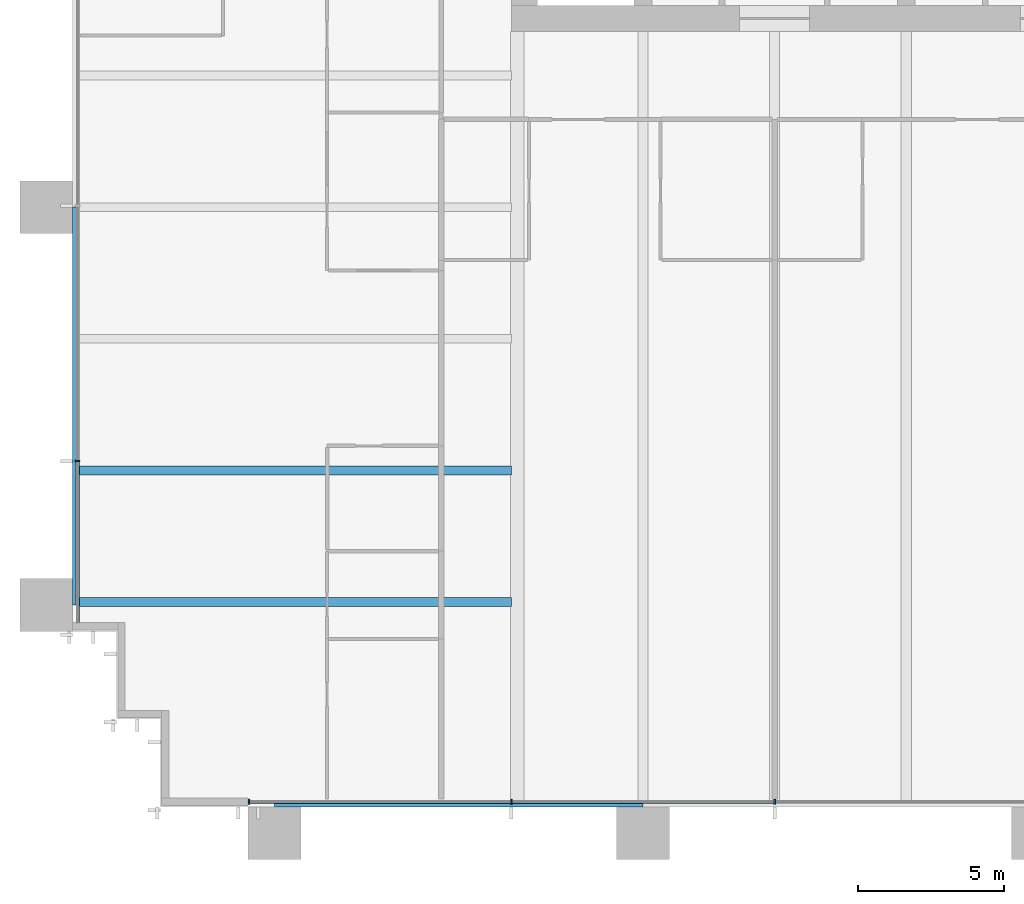
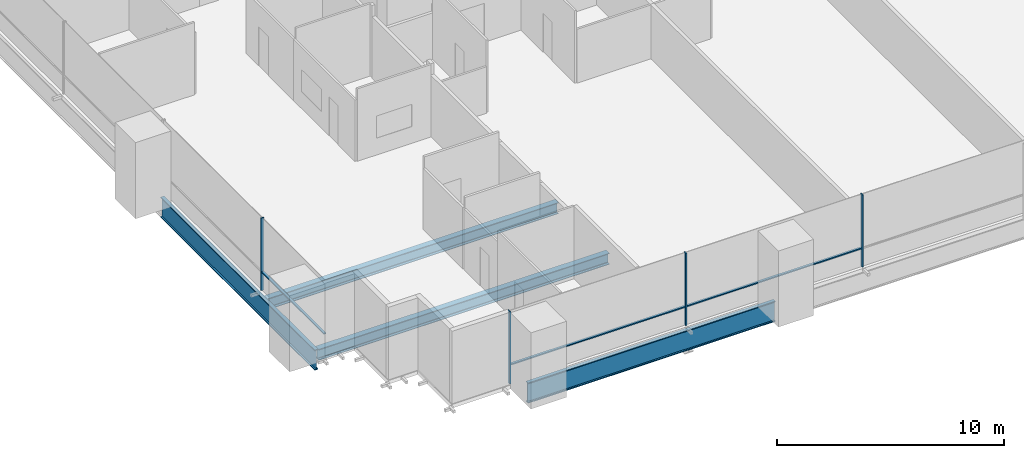
# One storey, part 2 of 18: 7 members, 4 beams, 2 elements without a shape of their own.
"""IFC4 building model written with IfcOpenShell, lengths in metres."""

from ifc_helpers import new_model, si_unit, direction, frame, origin, origin_2d, place, context, subcontext, project, spatial, rectangle, i_section, extrude, material, material_profile, profile_set, type_object, element, aggregate, save


model = new_model("IFC4")

# Units and contexts
model_context = context("Model", 3, precision=1e-05, world=origin(), true_north=direction((0.0, 1.0)))
body_context = subcontext(model_context, "Body", "Model", "MODEL_VIEW")
ifc_project = project(units=[si_unit("LENGTHUNIT", "METRE"), si_unit("AREAUNIT", "SQUARE_METRE"), si_unit("VOLUMEUNIT", "CUBIC_METRE"), si_unit("PLANEANGLEUNIT", "RADIAN"), si_unit("MASSUNIT", "GRAM", prefix="KILO")], contexts=[model_context])

# Site, building, storey
site_placement = place(None, origin())
site = spatial("IfcSite", under=ifc_project, at=site_placement, CompositionType="ELEMENT")
building_placement = place(site_placement, origin())
building = spatial("IfcBuilding", under=site, at=building_placement, Name="Rattan Terrace Tower", CompositionType="ELEMENT")
storey_placement = place(building_placement, frame((0.0, 0.0, 36.5)))
storey = spatial("IfcBuildingStorey", under=building, at=storey_placement, Name="L07", CompositionType="ELEMENT", Elevation=36.5)

# Curtain wall, member
ifc_material_1 = material(Name="Aluminium and glass", Category="aluminium")
curtain_wall_type = type_object("IfcCurtainWallType", Name="Facade Unitised Curtain Wall", PredefinedType="NOTDEFINED", material=ifc_material_1)
curtain_wall_1_placement = place(storey_placement, origin())
curtain_wall_1 = element("IfcCurtainWall", 1, at=curtain_wall_1_placement, inside=storey, type_object=curtain_wall_type, Name="Curtain wall L07-3", PredefinedType="NOTDEFINED")
ifc_material_2 = material(Name="Aluminium", Category="aluminium")
ifc_material_profile_1 = material_profile(ifc_material_2, rectangle(XDim=0.06005859375, YDim=0.159912109375, at=origin_2d()), Name="Aluminium 60x160")
ifc_profile_set_1 = profile_set([ifc_material_profile_1], Name="Aluminium")
member_type_1 = type_object("IfcMemberType", Name="Facade CW Mullion 60x160", PredefinedType="MULLION", material=ifc_profile_set_1)
member_1_placement = place(storey_placement, frame((-32.830078125, -22.180908203125, 0.0), z_axis=(0.0, 0.0, 1.0), x_axis=(0.0, -1.0, 0.0)))
member_1 = element("IfcMember", 2, at=member_1_placement, type_object=member_type_1, Name="Mullion cwl-L07-003.4", PredefinedType="MULLION", context=body_context, shape_type="SweptSolid", body=[
    extrude(rectangle(XDim=0.06005859375, YDim=0.159912109375, at=origin_2d()), origin(), (0.0, 0.0, 1.0), 3.89990234375),
])

# Curtain wall, members
curtain_wall_2_placement = place(storey_placement, origin())
curtain_wall_2 = element("IfcCurtainWall", 3, at=curtain_wall_2_placement, inside=storey, type_object=curtain_wall_type, Name="Curtain wall L07-4", PredefinedType="NOTDEFINED")
member_2_placement = place(storey_placement, frame((-26.969970703125, -33.830078125, 0.0), z_axis=(0.0, 0.0, 1.0), x_axis=(1.0, 0.0, 0.0)))
member_2 = element("IfcMember", 4, at=member_2_placement, type_object=member_type_1, Name="Mullion cwl-L07-004.1", PredefinedType="MULLION", context=body_context, shape_type="SweptSolid", body=[
    extrude(rectangle(XDim=0.06005859375, YDim=0.159912109375, at=origin_2d()), origin(), (0.0, 0.0, 1.0), 3.89990234375),
])
member_3_placement = place(storey_placement, frame((-18.0, -33.830078125, 0.0), z_axis=(0.0, 0.0, 1.0), x_axis=(1.0, 0.0, 0.0)))
member_3 = element("IfcMember", 5, at=member_3_placement, type_object=member_type_1, Name="Mullion cwl-L07-004.2", PredefinedType="MULLION", context=body_context, shape_type="SweptSolid", body=[
    extrude(rectangle(XDim=0.06005859375, YDim=0.159912109375, at=origin_2d()), origin(), (0.0, 0.0, 1.0), 3.89990234375),
])
member_4_placement = place(storey_placement, frame((-9.0, -33.830078125, 0.0), z_axis=(0.0, 0.0, 1.0), x_axis=(1.0, 0.0, 0.0)))
member_4 = element("IfcMember", 6, at=member_4_placement, type_object=member_type_1, Name="Mullion cwl-L07-004.3", PredefinedType="MULLION", context=body_context, shape_type="SweptSolid", body=[
    extrude(rectangle(XDim=0.06005859375, YDim=0.159912109375, at=origin_2d()), origin(), (0.0, 0.0, 1.0), 3.89990234375),
])

# Member
ifc_material_3 = material(Name="Aluminium", Category="aluminium")
ifc_material_profile_2 = material_profile(ifc_material_3, rectangle(XDim=0.1201171875, YDim=0.06005859375, at=origin_2d()), Name="Aluminium 120x60")
ifc_profile_set_2 = profile_set([ifc_material_profile_2], Name="Aluminium")
member_type_2 = type_object("IfcMemberType", Name="Facade CW Transom 120x60", PredefinedType="USERDEFINED", material=ifc_profile_set_2)
member_5_placement = place(storey_placement, frame((-32.830078125, -22.2109375, 1.0), z_axis=(0.0, -1.0, 0.0), x_axis=(1.0, 0.0, 0.0)))
member_5 = element("IfcMember", 7, at=member_5_placement, type_object=member_type_2, Name="Transom cwl-L07-003.4", ObjectType="TRANSOM", PredefinedType="USERDEFINED", context=body_context, shape_type="SweptSolid", body=[
    extrude(rectangle(XDim=0.1201171875, YDim=0.06005859375, at=origin_2d()), origin(), (0.0, 0.0, 1.0), 5.494140625),
])

aggregate(curtain_wall_1, [member_1, member_5])

member_6_placement = place(storey_placement, frame((-26.93994140625, -33.830078125, 1.0), z_axis=(1.0, 0.0, 0.0), x_axis=(0.0, 1.0, 0.0)))
member_6 = element("IfcMember", 8, at=member_6_placement, type_object=member_type_2, Name="Transom cwl-L07-004.1", ObjectType="TRANSOM", PredefinedType="USERDEFINED", context=body_context, shape_type="SweptSolid", body=[
    extrude(rectangle(XDim=0.1201171875, YDim=0.06005859375, at=origin_2d()), origin(), (0.0, 0.0, 1.0), 8.909912109375),
])

member_7_placement = place(storey_placement, frame((-17.969970703125, -33.830078125, 1.0), z_axis=(1.0, 0.0, 0.0), x_axis=(0.0, 1.0, 0.0)))
member_7 = element("IfcMember", 9, at=member_7_placement, type_object=member_type_2, Name="Transom cwl-L07-004.2", ObjectType="TRANSOM", PredefinedType="USERDEFINED", context=body_context, shape_type="SweptSolid", body=[
    extrude(rectangle(XDim=0.1201171875, YDim=0.06005859375, at=origin_2d()), origin(), (0.0, 0.0, 1.0), 8.93994140625),
])

aggregate(curtain_wall_2, [member_2, member_3, member_4, member_6, member_7])

# Beams
ifc_material_4 = material(Name="Steel S460", Category="steel")
ifc_material_profile_3 = material_profile(ifc_material_4, i_section(OverallWidth=0.179931640625, OverallDepth=1.10009765625, WebThickness=0.01611328125, FlangeThickness=0.050048828125, at=origin_2d()), Name="PG 1100x180-16-50")
ifc_profile_set_3 = profile_set([ifc_material_profile_3], Name="Steel S460")
beam_type_1 = type_object("IfcBeamType", Name="Frame edge girder PG 1100x180-16-50", PredefinedType="SPANDREL", material=ifc_profile_set_3)
beam_1_placement = place(storey_placement, frame((-26.10009765625, -33.909912109375, -0.75), z_axis=(1.0, 0.0, 0.0), x_axis=(0.0, 1.0, 0.0)))
element("IfcBeam", 10, at=beam_1_placement, inside=storey, type_object=beam_type_1, Name="gdr-L07-001", PredefinedType="SPANDREL", context=body_context, shape_type="SweptSolid", body=[
    extrude(i_section(OverallWidth=0.179931640625, OverallDepth=1.10009765625, WebThickness=0.01611328125, FlangeThickness=0.050048828125, at=origin_2d()), origin(), (0.0, 0.0, 1.0), 12.60009765625),
])
beam_2_placement = place(storey_placement, frame((-32.909912109375, -13.5, -0.75), z_axis=(0.0, -1.0, 0.0), x_axis=(1.0, 0.0, 0.0)))
element("IfcBeam", 11, at=beam_2_placement, inside=storey, type_object=beam_type_1, Name="gdr-L07-006", PredefinedType="SPANDREL", context=body_context, shape_type="SweptSolid", body=[
    extrude(i_section(OverallWidth=0.179931640625, OverallDepth=1.10009765625, WebThickness=0.01611328125, FlangeThickness=0.050048828125, at=origin_2d()), origin(), (0.0, 0.0, 1.0), 13.60009765625),
])
ifc_material_5 = material(Name="Steel S355", Category="steel")
ifc_material_profile_4 = material_profile(ifc_material_5, i_section(OverallWidth=0.300048828125, OverallDepth=0.60009765625, WebThickness=0.015380859375, FlangeThickness=0.030029296875, FilletRadius=0.027099609375, at=origin_2d()), Name="HE 600 B")
ifc_profile_set_4 = profile_set([ifc_material_profile_4], Name="Steel S355")
beam_type_2 = type_object("IfcBeamType", Name="Frame floor beam HE 600 B", PredefinedType="JOIST", material=ifc_profile_set_4)
for number, where, z_axis, x_axis, name in (
    (12, (-32.820068359375, -27.0, -0.5), (1.0, 0.0, 0.0), (0.0, 1.0, 0.0), "bm-L07-010"),
    (13, (-32.820068359375, -22.5, -0.5), (1.0, 0.0, 0.0), (0.0, 1.0, 0.0), "bm-L07-012"),
):
    element("IfcBeam", number, at=place(storey_placement, frame(where, z_axis=z_axis, x_axis=x_axis)), inside=storey, type_object=beam_type_2, Name=name, PredefinedType="JOIST", context=body_context, shape_type="SweptSolid", body=[
        extrude(i_section(OverallWidth=0.300048828125, OverallDepth=0.60009765625, WebThickness=0.015380859375, FlangeThickness=0.030029296875, FilletRadius=0.027099609375, at=origin_2d()), origin(), (0.0, 0.0, 1.0), 14.820068359375),
    ])

save(model, "model.ifc")
